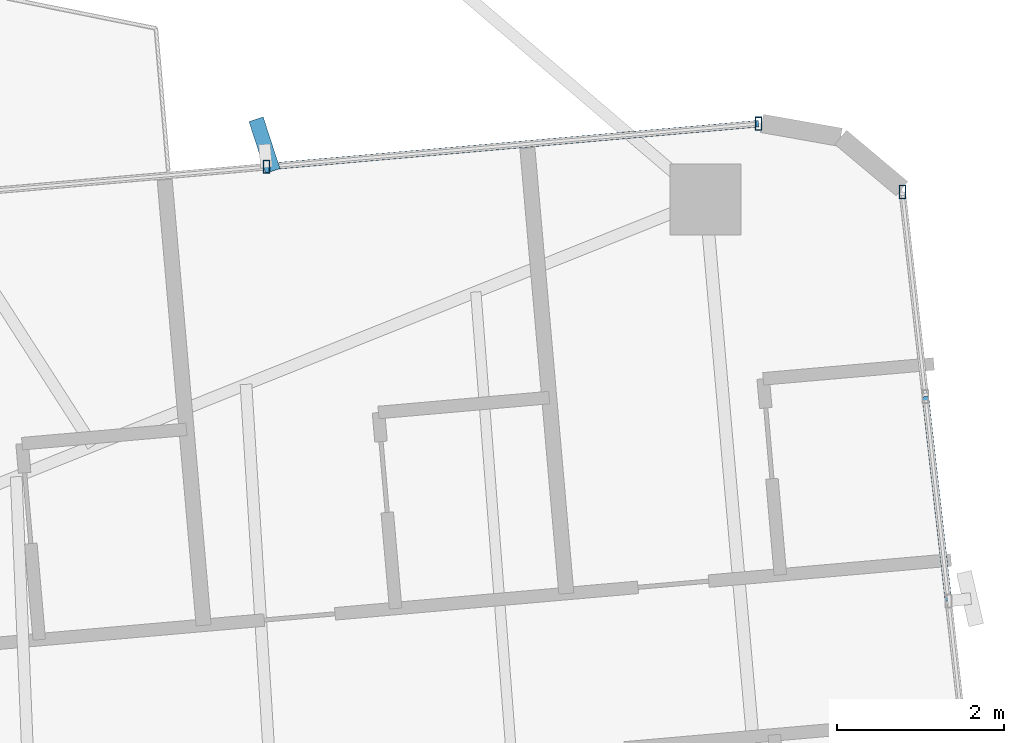
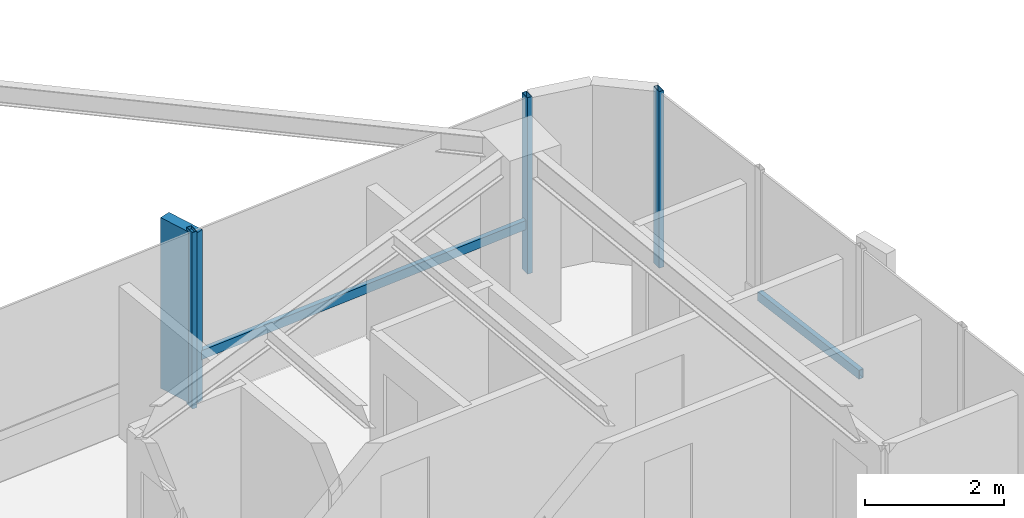
# One storey, part 15 of 24: 6 members, 2 elements without a shape of their own.
"""IFC4 building model written with IfcOpenShell, lengths in metres."""

from ifc_helpers import new_model, si_unit, direction, frame, origin, origin_2d, place, context, subcontext, project, spatial, rectangle, hollow_rectangle, extrude, source, transform, mapped, material, material_profile, profile_set, type_object, element, aggregate, save


model = new_model("IFC4")

# Units and contexts
model_context = context("Model", 3, precision=1e-05, world=origin(), true_north=direction((0.0, 1.0)))
body_context = subcontext(model_context, "Body", "Model", "MODEL_VIEW")
ifc_project = project(units=[si_unit("LENGTHUNIT", "METRE"), si_unit("AREAUNIT", "SQUARE_METRE"), si_unit("VOLUMEUNIT", "CUBIC_METRE"), si_unit("PLANEANGLEUNIT", "RADIAN"), si_unit("MASSUNIT", "GRAM", prefix="KILO")], contexts=[model_context])

# Site, building, storey
site_placement = place(None, origin())
site = spatial("IfcSite", under=ifc_project, at=site_placement, CompositionType="ELEMENT")
building_placement = place(site_placement, origin())
building = spatial("IfcBuilding", under=site, at=building_placement, Name="Sahyath Konkavel Grand Hotel", CompositionType="ELEMENT")
storey_placement = place(building_placement, frame((0.0, 0.0, 191.949951171875)))
storey = spatial("IfcBuildingStorey", under=building, at=storey_placement, Name="L53", CompositionType="ELEMENT", Elevation=191.949951171875)

# Curtain wall, member
ifc_material_1 = material(Name="Anodised Bronze Aluminium & Low-E Glazing", Category="aluminium")
curtain_wall_type = type_object("IfcCurtainWallType", Name="CW-ZONE3", PredefinedType="NOTDEFINED", material=ifc_material_1)
curtain_wall_1_placement = place(storey_placement, origin())
curtain_wall_1 = element("IfcCurtainWall", 1, at=curtain_wall_1_placement, inside=storey, type_object=curtain_wall_type, Name="L53 Unitised Curtain Wall F7", PredefinedType="NOTDEFINED")
ifc_material_2 = material(Name="Warm Buff Sandstone Cladding on Concrete C50/60", Category="masonry")
ifc_material_profile_1 = material_profile(ifc_material_2, rectangle(XDim=0.179931640625, YDim=0.64990234375, at=origin_2d()), Name="FIN 180x650")
ifc_profile_set_1 = profile_set([ifc_material_profile_1], Name="Warm Buff Sandstone Cladding on Concrete C50/60")
member_type_1 = type_object("IfcMemberType", Name="FIN-SANDSTONE-650", PredefinedType="MULLION", material=ifc_profile_set_1)
shared_shape_1 = source(origin(), body_context, "Body", "SweptSolid", [
    extrude(rectangle(XDim=0.179931640625, YDim=0.64990234375, at=origin_2d()), origin(), (0.0, 0.0, 1.0), 3.010009765625),
])
member_1_placement = place(storey_placement, frame((11.677001953125, 7.656982421875, 0.050048828125), z_axis=(0.0, 0.0, 1.0), x_axis=(0.951110435449, 0.308850998993, 0.0)))
member_1 = element("IfcMember", 2, at=member_1_placement, type_object=member_type_1, Name="L53 Sandstone Vertical Solar Fin FIN F7-1", PredefinedType="MULLION", context=body_context, shape_type="MappedRepresentation", body=[
    mapped(shared_shape_1, transform((0.0, 0.0, 0.0), scale=1.0)),
])

curtain_wall_2_placement = place(storey_placement, origin())
curtain_wall_2 = element("IfcCurtainWall", 3, at=curtain_wall_2_placement, inside=storey, type_object=curtain_wall_type, Name="L53 Unitised Curtain Wall F4", PredefinedType="NOTDEFINED")
ifc_material_3 = material(Name="Anodised Bronze Aluminium", Category="aluminium")
ifc_material_profile_2 = material_profile(ifc_material_3, hollow_rectangle(XDim=0.080078125, YDim=0.159912109375, WallThickness=0.006103515625, at=origin_2d()), Name="RHS 160x80x6")
ifc_profile_set_2 = profile_set([ifc_material_profile_2], Name="Anodised Bronze Aluminium")
member_type_2 = type_object("IfcMemberType", Name="CW-MUL-160", PredefinedType="MULLION", material=ifc_profile_set_2)
shared_shape_2 = source(origin(), body_context, "Body", "SweptSolid", [
    extrude(hollow_rectangle(XDim=0.080078125, YDim=0.159912109375, WallThickness=0.006103515625, at=origin_2d()), origin(), (0.0, 0.0, 1.0), 3.110107421875),
])
member_2_placement = place(storey_placement, frame((19.308349609375, 7.094970703125, 0.0), z_axis=(0.0, 0.0, 1.0), x_axis=(1.0, 0.0, 0.0)))
member_2 = element("IfcMember", 4, at=member_2_placement, type_object=member_type_2, Name="L53 Curtain Wall Mullion F4-4", PredefinedType="MULLION", context=body_context, shape_type="MappedRepresentation", body=[
    mapped(shared_shape_2, transform((0.0, 0.0, 0.0), scale=1.0)),
])

# Member
member_3_placement = place(storey_placement, frame((17.58740234375, 7.912841796875, 0.0), z_axis=(0.0, 0.0, 1.0), x_axis=(1.0, 0.0, 0.0)))
member_3 = element("IfcMember", 5, at=member_3_placement, type_object=member_type_2, Name="L53 Curtain Wall Mullion F7-0", PredefinedType="MULLION", context=body_context, shape_type="MappedRepresentation", body=[
    mapped(shared_shape_2, transform((0.0, 0.0, 0.0), scale=1.0)),
])

member_4_placement = place(storey_placement, frame((11.69970703125, 7.39794921875, 0.0), z_axis=(0.0, 0.0, 1.0), x_axis=(1.0, 0.0, 0.0)))
member_4 = element("IfcMember", 6, at=member_4_placement, type_object=member_type_2, Name="L53 Curtain Wall Mullion F7-1", PredefinedType="MULLION", context=body_context, shape_type="MappedRepresentation", body=[
    mapped(shared_shape_2, transform((0.0, 0.0, 0.0), scale=1.0)),
])

ifc_material_profile_3 = material_profile(ifc_material_3, hollow_rectangle(XDim=0.080078125, YDim=0.159912109375, WallThickness=0.006103515625, at=origin_2d()), Name="RHS 160x80x6")
ifc_profile_set_3 = profile_set([ifc_material_profile_3], Name="Anodised Bronze Aluminium")
member_type_3 = type_object("IfcMemberType", Name="CW-TRN-160", PredefinedType="USERDEFINED", material=ifc_profile_set_3)
shared_shape_3 = source(origin(), body_context, "Body", "SweptSolid", [
    extrude(hollow_rectangle(XDim=0.080078125, YDim=0.159912109375, WallThickness=0.006103515625, at=origin_2d()), origin(), (0.0, 0.0, 1.0), 2.461669921875),
])
member_5_placement = place(storey_placement, frame((19.859619140625, 2.201904296875, 0.85009765625), z_axis=(-0.111966154832, 0.993712020744, 0.0), x_axis=(-0.993712020744, -0.111966154832, 0.0)))
member_5 = element("IfcMember", 7, at=member_5_placement, type_object=member_type_3, Name="L53 Curtain Wall Transom F4-2-spandrel", ObjectType="TRANSOM", PredefinedType="USERDEFINED", context=body_context, shape_type="MappedRepresentation", body=[
    mapped(shared_shape_3, transform((0.0, 0.0, 0.0), scale=1.0)),
])

aggregate(curtain_wall_2, [member_2, member_5])

shared_shape_4 = source(origin(), body_context, "Body", "SweptSolid", [
    extrude(hollow_rectangle(XDim=0.080078125, YDim=0.159912109375, WallThickness=0.006103515625, at=origin_2d()), origin(), (0.0, 0.0, 1.0), 5.91015625),
])
member_6_placement = place(storey_placement, frame((17.58740234375, 7.912841796875, 0.85009765625), z_axis=(-0.996197841474, -0.087119806256, 0.0), x_axis=(0.087119806256, -0.996197841474, 0.0)))
member_6 = element("IfcMember", 8, at=member_6_placement, type_object=member_type_3, Name="L53 Curtain Wall Transom F7-0-spandrel", ObjectType="TRANSOM", PredefinedType="USERDEFINED", context=body_context, shape_type="MappedRepresentation", body=[
    mapped(shared_shape_4, transform((0.0, 0.0, 0.0), scale=1.0)),
])

aggregate(curtain_wall_1, [member_3, member_4, member_1, member_6])

save(model, "model.ifc")
